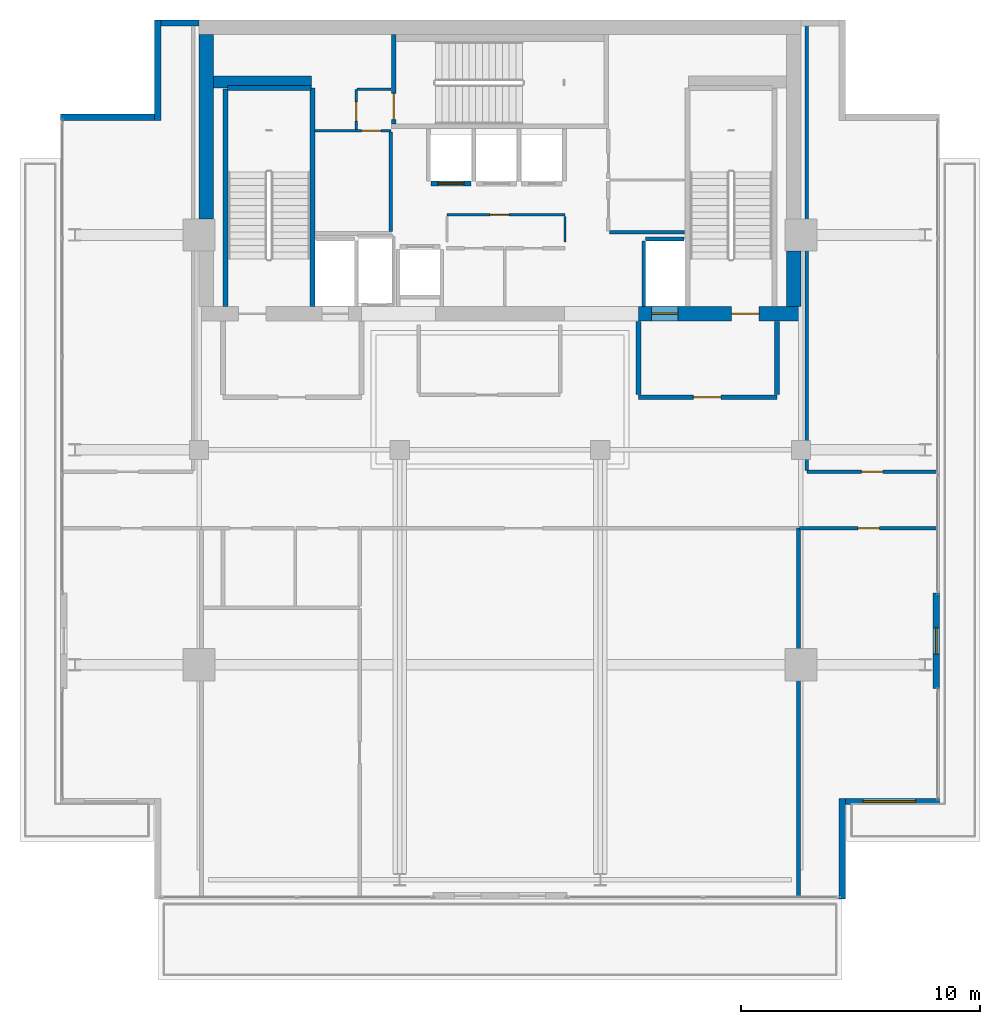
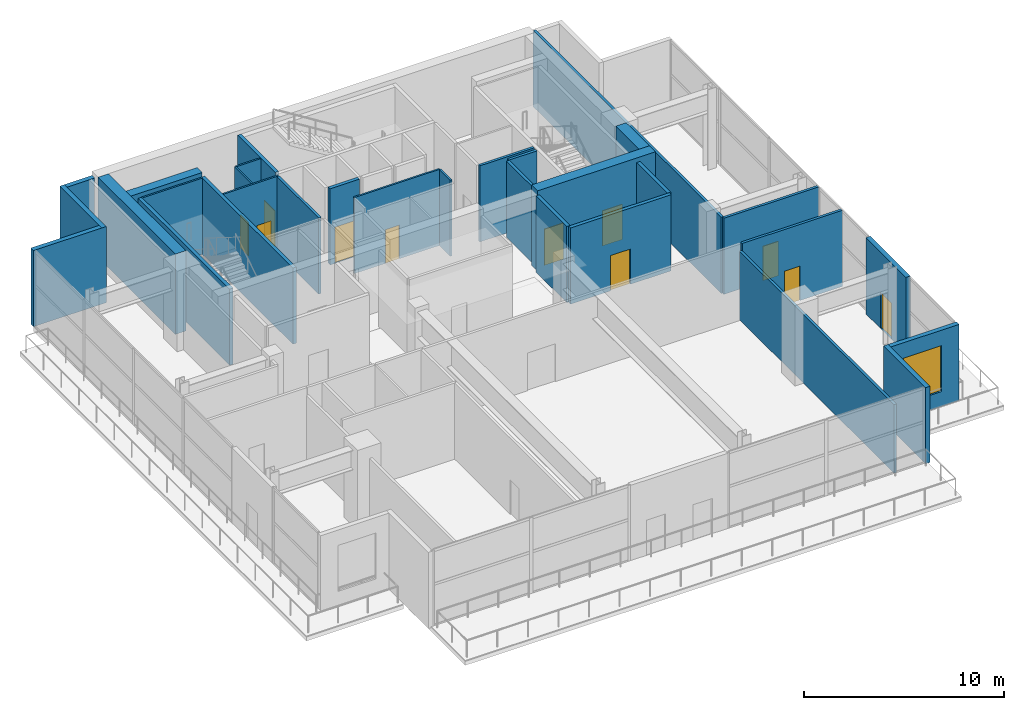
# One storey, part 17 of 22: 31 walls, 11 doors, 1 window, 12 openings.
"""IFC4 building model written with IfcOpenShell, lengths in metres."""

from ifc_helpers import new_model, si_unit, direction, frame, frame_2d, origin, place, context, subcontext, project, spatial, rectangle, extrude, material, layer, layer_set, type_object, element, fill, save


model = new_model("IFC4")

# Units and contexts
model_context = context("Model", 3, precision=1e-05, world=origin(), true_north=direction((0.0, 1.0)))
body_context = subcontext(model_context, "Body", "Model", "MODEL_VIEW")
ifc_project = project(units=[si_unit("LENGTHUNIT", "METRE"), si_unit("AREAUNIT", "SQUARE_METRE"), si_unit("VOLUMEUNIT", "CUBIC_METRE"), si_unit("PLANEANGLEUNIT", "RADIAN"), si_unit("MASSUNIT", "GRAM", prefix="KILO")], contexts=[model_context])

# Site, building, storey
site_placement = place(None, origin())
site = spatial("IfcSite", under=ifc_project, at=site_placement, CompositionType="ELEMENT")
building_placement = place(site_placement, origin())
building = spatial("IfcBuilding", under=site, at=building_placement, Name="Maruvema Waterfront Hotel and Observation Tower", CompositionType="ELEMENT")
storey_placement = place(building_placement, frame((0.0, 0.0, 354.199951171875)))
storey = spatial("IfcBuildingStorey", under=building, at=storey_placement, Name="L87", CompositionType="ELEMENT", Elevation=354.199951171875)

# Walls
ifc_material_1 = material(Name="Twin-stud acoustic gypsum drywall", Category="gypsum")
ifc_layer_1 = layer(ifc_material_1, 0.14990234375, Name="Acoustic Corridor and Suite Demising Wall 150 mm")
ifc_layer_set_1 = layer_set([ifc_layer_1], Name="Twin-stud acoustic gypsum drywall")
wall_type_1 = type_object("IfcWallType", Name="Acoustic Corridor and Suite Demising Wall 150 mm", PredefinedType="PARTITIONING", material=ifc_layer_set_1)
wall_1_placement = place(storey_placement, frame((33.219970703125, 45.139892578125, 0.0), z_axis=(0.0, 0.0, 1.0), x_axis=(0.0, 1.0, 0.0)))
element("IfcWall", 1, at=wall_1_placement, inside=storey, type_object=wall_type_1, Name="L87 Freed B1 East Wall 017", PredefinedType="PARTITIONING", context=body_context, shape_type="SweptSolid", body=[
    extrude(rectangle(XDim=4.16015625, YDim=0.14990234375, at=frame_2d((2.080078125, 0.0))), origin(), (0.0, 0.0, 1.0), 4.64013671875),
])
wall_2_placement = place(storey_placement, frame((42.3798828125, 45.1201171875, 0.0), z_axis=(0.0, 0.0, 1.0), x_axis=(1.0, 0.0, 0.0)))
element("IfcWall", 2, at=wall_2_placement, inside=storey, type_object=wall_type_1, Name="L87 Freed B2 South Wall 024", PredefinedType="PARTITIONING", context=body_context, shape_type="SweptSolid", body=[
    extrude(rectangle(XDim=3.14013671875, YDim=0.14990234375, at=frame_2d((1.570068359375, 0.0))), origin(), (0.0, 0.0, 1.0), 4.64013671875),
])
wall_3_placement = place(storey_placement, frame((50.300048828125, 17.280029296875, 0.0), z_axis=(0.0, 0.0, 1.0), x_axis=(0.0, 1.0, 0.0)))
element("IfcWall", 3, at=wall_3_placement, inside=storey, type_object=wall_type_1, Name="L87 L87 East Spine 037", PredefinedType="PARTITIONING", context=body_context, shape_type="SweptSolid", body=[
    extrude(rectangle(XDim=15.43994140625, YDim=0.14990234375, at=frame_2d((7.719970703125, 0.0))), origin(), (0.0, 0.0, 1.0), 4.177001953125),
])

# Wall, opening, door
wall_4_placement = place(storey_placement, frame((50.35009765625, 32.719970703125, 0.0), z_axis=(0.0, 0.0, 1.0), x_axis=(1.0, 0.0, 0.0)))
wall_4 = element("IfcWall", 4, at=wall_4_placement, inside=storey, type_object=wall_type_1, Name="L87 L87 Photo North 039", PredefinedType="PARTITIONING", context=body_context, shape_type="SweptSolid", body=[
    extrude(rectangle(XDim=5.77001953125, YDim=0.14990234375, at=frame_2d((2.885009765625, 0.0))), origin(), (0.0, 0.0, 1.0), 4.64013671875),
])
opening_1_placement = place(wall_4_placement, frame((2.43505859375, 0.0, 0.0)))
opening_1 = element("IfcOpeningElement", 5, at=opening_1_placement, cuts=wall_4, Name="Opening DR-090", PredefinedType="OPENING", context=body_context, shape_type="SweptSolid", body=[
    extrude(rectangle(XDim=0.89990234375, YDim=2.10009765625, at=frame_2d((0.449951171875, 1.050048828125))), frame((0.0, 0.0849609375, 0.0), z_axis=(0.0, -1.0, 0.0), x_axis=(1.0, 0.0, 0.0)), (0.0, 0.0, 1.0), 0.169921875),
])
ifc_material_2 = material(Name="Solid-core lacquered timber leaf", Category="wood")
door_type_1 = type_object("IfcDoorType", Name="Accessible Toilet and Room Door 900x2100 mm", OperationType="NOTDEFINED", PredefinedType="DOOR", material=ifc_material_2)
door_1_placement = place(opening_1_placement, origin())
door_1 = element("IfcDoor", 6, at=door_1_placement, inside=storey, type_object=door_type_1, Name="L87 Photography Salon Door", OperationType="SINGLE_SWING_LEFT", OverallHeight=2.10009765625, OverallWidth=0.89990234375, PredefinedType="DOOR", context=body_context, shape_type="SweptSolid", body=[
    extrude(rectangle(XDim=0.89990234375, YDim=2.10009765625, at=frame_2d((0.449951171875, 1.050048828125))), frame((0.0, 0.02490234375, 0.0), z_axis=(0.0, -1.0, 0.0), x_axis=(1.0, 0.0, 0.0)), (0.0, 0.0, 1.0), 0.050048828125),
])
fill(opening_1, door_1)

wall_5_placement = place(storey_placement, frame((50.64990234375, 35.080078125, 0.0), z_axis=(0.0, 0.0, 1.0), x_axis=(1.0, 0.0, 0.0)))
wall_5 = element("IfcWall", 7, at=wall_5_placement, inside=storey, type_object=wall_type_1, Name="L87 L87 Kitchen South 042", PredefinedType="PARTITIONING", context=body_context, shape_type="SweptSolid", body=[
    extrude(rectangle(XDim=5.47021484375, YDim=0.14990234375, at=frame_2d((2.735107421875, 0.0))), origin(), (0.0, 0.0, 1.0), 4.64013671875),
])
opening_2_placement = place(wall_5_placement, frame((2.284912109375, 0.0, 0.0)))
opening_2 = element("IfcOpeningElement", 8, at=opening_2_placement, cuts=wall_5, Name="Opening DR-090", PredefinedType="OPENING", context=body_context, shape_type="SweptSolid", body=[
    extrude(rectangle(XDim=0.89990234375, YDim=2.10009765625, at=frame_2d((0.449951171875, 1.050048828125))), frame((0.0, 0.0849609375, 0.0), z_axis=(0.0, -1.0, 0.0), x_axis=(1.0, 0.0, 0.0)), (0.0, 0.0, 1.0), 0.169921875),
])
door_2_placement = place(opening_2_placement, frame((0.89990234375, 0.0, 0.0), z_axis=(0.0, 0.0, 1.0), x_axis=(-1.0, 0.0, 0.0)))
door_2 = element("IfcDoor", 9, at=door_2_placement, inside=storey, type_object=door_type_1, Name="L87 Refreshment Kitchen Door", OperationType="SINGLE_SWING_LEFT", OverallHeight=2.10009765625, OverallWidth=0.89990234375, PredefinedType="DOOR", context=body_context, shape_type="SweptSolid", body=[
    extrude(rectangle(XDim=0.89990234375, YDim=2.10009765625, at=frame_2d((0.449951171875, 1.050048828125))), frame((0.0, 0.02490234375, 0.0), z_axis=(0.0, -1.0, 0.0), x_axis=(1.0, 0.0, 0.0)), (0.0, 0.0, 1.0), 0.050048828125),
])
fill(opening_2, door_2)

# Walls
wall_6_placement = place(storey_placement, frame((50.64990234375, 35.139892578125, 0.0), z_axis=(0.0, 0.0, 1.0), x_axis=(0.0, 1.0, 0.0)))
element("IfcWall", 10, at=wall_6_placement, inside=storey, type_object=wall_type_1, Name="L87 L87 Kitchen West 043", PredefinedType="PARTITIONING", context=body_context, shape_type="SweptSolid", body=[
    extrude(rectangle(XDim=18.780029296875, YDim=0.14990234375, at=frame_2d((9.39013671875, 0.0))), origin(), (0.0, 0.0, 1.0), 4.64013671875),
])
ifc_material_3 = material(Name="Precast concrete C45/55", Category="concrete")
ifc_layer_2 = layer(ifc_material_3, 0.199951171875, Name="Core Shaft and Stairwell Enclosure Wall 200 mm")
ifc_layer_set_2 = layer_set([ifc_layer_2], Name="Precast concrete C45/55")
wall_type_2 = type_object("IfcWallType", Name="Core Shaft and Stairwell Enclosure Wall 200 mm", PredefinedType="SOLIDWALL", material=ifc_layer_set_2)
wall_7_placement = place(storey_placement, frame((29.949951171875, 42.0, 0.0), z_axis=(0.0, 0.0, 1.0), x_axis=(0.0, 1.0, 0.0)))
element("IfcWall", 11, at=wall_7_placement, inside=storey, type_object=wall_type_2, Name="L87 Stairwell ST-01 East Shaft Wall", PredefinedType="SOLIDWALL", context=body_context, shape_type="SweptSolid", body=[
    extrude(rectangle(XDim=9.14990234375, YDim=0.199951171875, at=frame_2d((4.574951171875, 0.0))), origin(), (0.0, 0.0, 1.0), 4.64013671875),
])
wall_8_placement = place(storey_placement, frame((26.300048828125, 42.0, 0.0), z_axis=(0.0, 0.0, 1.0), x_axis=(0.0, 1.0, 0.0)))
element("IfcWall", 12, at=wall_8_placement, inside=storey, type_object=wall_type_2, Name="L87 Stairwell ST-01 Shaft Lining Wall", PredefinedType="SOLIDWALL", context=body_context, shape_type="SweptSolid", body=[
    extrude(rectangle(XDim=9.1201171875, YDim=0.199951171875, at=frame_2d((4.56005859375, 0.0))), origin(), (0.0, 0.0, 1.0), 4.64013671875),
])
wall_9_placement = place(storey_placement, frame((26.3798828125, 51.14990234375, 0.0), z_axis=(0.0, 0.0, 1.0), x_axis=(1.0, 0.0, 0.0)))
element("IfcWall", 13, at=wall_9_placement, inside=storey, type_object=wall_type_2, Name="L87 Stairwell ST-01 Shaft Lining Wall", PredefinedType="SOLIDWALL", context=body_context, shape_type="SweptSolid", body=[
    extrude(rectangle(XDim=3.5, YDim=0.199951171875, at=frame_2d((1.75, 0.0))), origin(), (0.0, 0.0, 1.0), 4.64013671875),
])

# Wall, opening, door
wall_10_placement = place(storey_placement, frame((33.35009765625, 49.64990234375, 0.0), z_axis=(0.0, 0.0, 1.0), x_axis=(0.0, 1.0, 0.0)))
wall_10 = element("IfcWall", 14, at=wall_10_placement, inside=storey, type_object=wall_type_2, Name="L87 Stairwell ST-02 Shaft Wall", PredefinedType="SOLIDWALL", context=body_context, shape_type="SweptSolid", body=[
    extrude(rectangle(XDim=3.75, YDim=0.199951171875, at=frame_2d((1.875, 0.0))), origin(), (0.0, 0.0, 1.0), 4.64013671875),
])
opening_3_placement = place(wall_10_placement, frame((0.179931640625, 0.0, 0.0)))
opening_3 = element("IfcOpeningElement", 15, at=opening_3_placement, cuts=wall_10, Name="Opening SD-02", PredefinedType="OPENING", context=body_context, shape_type="SweptSolid", body=[
    extrude(rectangle(XDim=1.10009765625, YDim=2.14990234375, at=frame_2d((0.550048828125, 1.074951171875))), frame((0.0, 0.10986328125, 0.0), z_axis=(0.0, -1.0, 0.0), x_axis=(1.0, 0.0, 0.0)), (0.0, 0.0, 1.0), 0.219970703125),
])
ifc_material_4 = material(Name="Fire-rated galvanised steel leaf", Category="steel")
door_type_2 = type_object("IfcDoorType", Name="Central Exit Stair Fire Door 1100x2150 mm", OperationType="NOTDEFINED", PredefinedType="DOOR", material=ifc_material_4)
door_3_placement = place(opening_3_placement, frame((1.10009765625, 0.0, 0.0), z_axis=(0.0, 0.0, 1.0), x_axis=(-1.0, 0.0, 0.0)))
door_3 = element("IfcDoor", 16, at=door_3_placement, inside=storey, type_object=door_type_2, Name="L87 Exit Stair ST-02 Fire Door", OperationType="SINGLE_SWING_LEFT", OverallHeight=2.14990234375, OverallWidth=1.10009765625, PredefinedType="DOOR", context=body_context, shape_type="SweptSolid", body=[
    extrude(rectangle(XDim=1.10009765625, YDim=2.14990234375, at=frame_2d((0.550048828125, 1.074951171875))), frame((0.0, 0.02490234375, 0.0), z_axis=(0.0, -1.0, 0.0), x_axis=(1.0, 0.0, 0.0)), (0.0, 0.0, 1.0), 0.050048828125),
])
fill(opening_3, door_3)

wall_11_placement = place(storey_placement, frame((34.909912109375, 47.14990234375, 0.0), z_axis=(0.0, 0.0, 1.0), x_axis=(1.0, 0.0, 0.0)))
wall_11 = element("IfcWall", 17, at=wall_11_placement, inside=storey, type_object=wall_type_2, Name="L87 Lift LF-12 Hoistway Front Wall", PredefinedType="SOLIDWALL", context=body_context, shape_type="SweptSolid", body=[
    extrude(rectangle(XDim=1.68017578125, YDim=0.199951171875, at=frame_2d((0.840087890625, 0.0))), origin(), (0.0, 0.0, 1.0), 4.64013671875),
])
opening_4_placement = place(wall_11_placement, frame((0.2900390625, 0.0, 0.0)))
opening_4 = element("IfcOpeningElement", 18, at=opening_4_placement, cuts=wall_11, Name="Opening LD-02", PredefinedType="OPENING", context=body_context, shape_type="SweptSolid", body=[
    extrude(rectangle(XDim=1.10009765625, YDim=2.199951171875, at=frame_2d((0.550048828125, 1.10009765625))), frame((0.0, 0.10986328125, 0.0), z_axis=(0.0, -1.0, 0.0), x_axis=(1.0, 0.0, 0.0)), (0.0, 0.0, 1.0), 0.219970703125),
])
ifc_material_5 = material(Name="Brushed stainless steel Grade 316", Category="steel")
door_type_3 = type_object("IfcDoorType", Name="Shuttle Lift Sliding Landing Door 1100x2200 mm", OperationType="SLIDING_TO_RIGHT", PredefinedType="DOOR", material=ifc_material_5)
door_4_placement = place(opening_4_placement, frame((1.10009765625, 0.0, 0.0), z_axis=(0.0, 0.0, 1.0), x_axis=(-1.0, 0.0, 0.0)))
door_4 = element("IfcDoor", 19, at=door_4_placement, inside=storey, type_object=door_type_3, Name="L87 Lift LF-12 Sliding Landing Door", OperationType="SLIDING_TO_RIGHT", OverallHeight=2.199951171875, OverallWidth=1.10009765625, PredefinedType="DOOR", context=body_context, shape_type="SweptSolid", body=[
    extrude(rectangle(XDim=1.10009765625, YDim=2.199951171875, at=frame_2d((0.550048828125, 1.10009765625))), frame((0.0, 0.02490234375, 0.0), z_axis=(0.0, -1.0, 0.0), x_axis=(1.0, 0.0, 0.0)), (0.0, 0.0, 1.0), 0.050048828125),
])
fill(opening_4, door_4)

# Wall
ifc_material_6 = material(Name="Concrete C70/85", Category="concrete")
ifc_layer_3 = layer(ifc_material_6, 0.5, Name="Core Shear Wall 500 mm")
ifc_layer_set_3 = layer_set([ifc_layer_3], Name="Concrete C70/85")
wall_type_3 = type_object("IfcWallType", Name="Core Shear Wall 500 mm", PredefinedType="SHEAR", material=ifc_layer_set_3)
wall_12_placement = place(storey_placement, frame((25.800048828125, 51.39990234375, 0.0), z_axis=(0.0, 0.0, 1.0), x_axis=(1.0, 0.0, 0.0)))
element("IfcWall", 20, at=wall_12_placement, inside=storey, type_object=wall_type_3, Name="L87 Internal Core Shear Wall NW 500 mm", PredefinedType="SHEAR", context=body_context, shape_type="SweptSolid", body=[
    extrude(rectangle(XDim=4.099853515625, YDim=0.5, at=frame_2d((2.0498046875, 0.0))), origin(), (0.0, 0.0, 1.0), 4.900146484375),
])

# Wall, openings, doors
ifc_material_7 = material(Name="Concrete C60/75", Category="concrete")
ifc_layer_4 = layer(ifc_material_7, 0.60009765625, Name="Core Shear Wall 600 mm")
ifc_layer_set_4 = layer_set([ifc_layer_4], Name="Concrete C60/75")
wall_type_4 = type_object("IfcWallType", Name="Core Shear Wall 600 mm", PredefinedType="SHEAR", material=ifc_layer_set_4)
wall_13_placement = place(storey_placement, frame((43.60009765625, 41.699951171875, 0.0), z_axis=(0.0, 0.0, 1.0), x_axis=(1.0, 0.0, 0.0)))
wall_13 = element("IfcWall", 21, at=wall_13_placement, inside=storey, type_object=wall_type_4, Name="L87 South-East Core Shear Wall", PredefinedType="SHEAR", context=body_context, shape_type="SweptSolid", body=[
    extrude(rectangle(XDim=6.7998046875, YDim=0.60009765625, at=frame_2d((3.39990234375, 0.0))), origin(), (0.0, 0.0, 1.0), 4.900146484375),
])
opening_5_placement = place(wall_13_placement, frame((3.89990234375, 0.0, 0.0)))
opening_5 = element("IfcOpeningElement", 22, at=opening_5_placement, cuts=wall_13, Name="Opening SD-01", PredefinedType="OPENING", context=body_context, shape_type="SweptSolid", body=[
    extrude(rectangle(XDim=1.14990234375, YDim=2.14990234375, at=frame_2d((0.574951171875, 1.074951171875))), frame((0.0, 0.31005859375, 0.0), z_axis=(0.0, -1.0, 0.0), x_axis=(1.0, 0.0, 0.0)), (0.0, 0.0, 1.0), 0.6201171875),
])
opening_6_placement = place(wall_13_placement, frame((0.550048828125, 0.0, 0.0)))
opening_6 = element("IfcOpeningElement", 23, at=opening_6_placement, cuts=wall_13, Name="Opening LD-03", PredefinedType="OPENING", context=body_context, shape_type="SweptSolid", body=[
    extrude(rectangle(XDim=1.10009765625, YDim=2.199951171875, at=frame_2d((0.550048828125, 1.10009765625))), frame((0.0, 0.31005859375, 0.0), z_axis=(0.0, -1.0, 0.0), x_axis=(1.0, 0.0, 0.0)), (0.0, 0.0, 1.0), 0.6201171875),
])
ifc_material_8 = material(Name="Fire-rated galvanised steel leaf", Category="steel")
door_type_4 = type_object("IfcDoorType", Name="Exit Stair Fire Door 1150x2150 mm", OperationType="NOTDEFINED", PredefinedType="DOOR", material=ifc_material_8)
door_5_placement = place(opening_5_placement, origin())
door_5 = element("IfcDoor", 24, at=door_5_placement, inside=storey, type_object=door_type_4, Name="L87 Exit Stair ST-03 Fire Door", OperationType="SINGLE_SWING_RIGHT", OverallHeight=2.14990234375, OverallWidth=1.14990234375, PredefinedType="DOOR", context=body_context, shape_type="SweptSolid", body=[
    extrude(rectangle(XDim=1.14990234375, YDim=2.14990234375, at=frame_2d((0.574951171875, 1.074951171875))), frame((0.0, 0.02490234375, 0.0), z_axis=(0.0, -1.0, 0.0), x_axis=(1.0, 0.0, 0.0)), (0.0, 0.0, 1.0), 0.050048828125),
])
fill(opening_5, door_5)
ifc_material_9 = material(Name="Brushed stainless steel Grade 316", Category="steel")
door_type_5 = type_object("IfcDoorType", Name="Firefighting Lift Sliding Landing Door 1100x2200 mm", OperationType="SLIDING_TO_LEFT", PredefinedType="DOOR", material=ifc_material_9)
door_6_placement = place(opening_6_placement, frame((1.10009765625, 0.0, 0.0), z_axis=(0.0, 0.0, 1.0), x_axis=(-1.0, 0.0, 0.0)))
door_6 = element("IfcDoor", 25, at=door_6_placement, inside=storey, type_object=door_type_5, Name="L87 Firefighting Lift FL-02 Landing Door", OperationType="SLIDING_TO_LEFT", OverallHeight=2.199951171875, OverallWidth=1.10009765625, PredefinedType="DOOR", context=body_context, shape_type="SweptSolid", body=[
    extrude(rectangle(XDim=1.10009765625, YDim=2.199951171875, at=frame_2d((0.550048828125, 1.10009765625))), frame((0.0, 0.02490234375, 0.0), z_axis=(0.0, -1.0, 0.0), x_axis=(1.0, 0.0, 0.0)), (0.0, 0.0, 1.0), 0.050048828125),
])
fill(opening_6, door_6)

# Walls
wall_14_placement = place(storey_placement, frame((25.5, 45.675048828125, 0.0), z_axis=(0.0, 0.0, 1.0), x_axis=(0.0, 1.0, 0.0)))
element("IfcWall", 26, at=wall_14_placement, inside=storey, type_object=wall_type_4, Name="L87 West-North Core Shear Wall", PredefinedType="SHEAR", context=body_context, shape_type="SweptSolid", body=[
    extrude(rectangle(XDim=7.724853515625, YDim=0.60009765625, at=frame_2d((3.8623046875, 0.0))), origin(), (0.0, 0.0, 1.0), 4.900146484375),
])
wall_15_placement = place(storey_placement, frame((50.10009765625, 42.0, 0.0), z_axis=(0.0, 0.0, 1.0), x_axis=(0.0, 1.0, 0.0)))
element("IfcWall", 27, at=wall_15_placement, inside=storey, type_object=wall_type_4, Name="L87 East-South Core Shear Wall", PredefinedType="SHEAR", context=body_context, shape_type="SweptSolid", body=[
    extrude(rectangle(XDim=2.324951171875, YDim=0.60009765625, at=frame_2d((1.16259765625, 0.0))), origin(), (0.0, 0.0, 1.0), 4.900146484375),
])

# Wall, opening, door
ifc_material_10 = material(Name="Moisture-resistant cement-board drywall", Category="gypsum")
ifc_layer_5 = layer(ifc_material_10, 0.10009765625, Name="En-Suite Moisture-Resistant Partition 100 mm")
ifc_layer_set_5 = layer_set([ifc_layer_5], Name="Moisture-resistant cement-board drywall")
wall_type_5 = type_object("IfcWallType", Name="En-Suite Moisture-Resistant Partition 100 mm", PredefinedType="PARTITIONING", material=ifc_layer_set_5)
wall_16_placement = place(storey_placement, frame((35.580078125, 45.840087890625, 0.0), z_axis=(0.0, 0.0, 1.0), x_axis=(1.0, 0.0, 0.0)))
wall_16 = element("IfcWall", 28, at=wall_16_placement, inside=storey, type_object=wall_type_5, Name="L87 Core Closet K0 North 010", PredefinedType="PARTITIONING", context=body_context, shape_type="SweptSolid", body=[
    extrude(rectangle(XDim=4.93994140625, YDim=0.10009765625, at=frame_2d((2.469970703125, 0.0))), origin(), (0.0, 0.0, 1.0), 4.64013671875),
])
opening_7_placement = place(wall_16_placement, frame((1.800048828125, 0.0, 0.0)))
opening_7 = element("IfcOpeningElement", 29, at=opening_7_placement, cuts=wall_16, Name="Opening DR-080", PredefinedType="OPENING", context=body_context, shape_type="SweptSolid", body=[
    extrude(rectangle(XDim=0.800048828125, YDim=2.050048828125, at=frame_2d((0.39990234375, 1.02490234375))), frame((0.0, 0.06005859375, 0.0), z_axis=(0.0, -1.0, 0.0), x_axis=(1.0, 0.0, 0.0)), (0.0, 0.0, 1.0), 0.1201171875),
])
ifc_material_11 = material(Name="Powder-coated steel access leaf", Category="steel")
door_type_6 = type_object("IfcDoorType", Name="Riser and Service Cupboard Door 800x2050 mm", OperationType="NOTDEFINED", PredefinedType="DOOR", material=ifc_material_11)
door_7_placement = place(opening_7_placement, origin())
door_7 = element("IfcDoor", 30, at=door_7_placement, inside=storey, type_object=door_type_6, Name="L87 Core Electrical Closet Door", OperationType="SINGLE_SWING_LEFT", OverallHeight=2.050048828125, OverallWidth=0.800048828125, PredefinedType="DOOR", context=body_context, shape_type="SweptSolid", body=[
    extrude(rectangle(XDim=0.800048828125, YDim=2.050048828125, at=frame_2d((0.39990234375, 1.02490234375))), frame((0.0, 0.02490234375, 0.0), z_axis=(0.0, -1.0, 0.0), x_axis=(1.0, 0.0, 0.0)), (0.0, 0.0, 1.0), 0.050048828125),
])
fill(opening_7, door_7)

# Wall
wall_17_placement = place(storey_placement, frame((40.52001953125, 44.699951171875, 0.0), z_axis=(0.0, 0.0, 1.0), x_axis=(0.0, 1.0, 0.0)))
element("IfcWall", 31, at=wall_17_placement, inside=storey, type_object=wall_type_5, Name="L87 Core Closet K0 East 012", PredefinedType="PARTITIONING", context=body_context, shape_type="SweptSolid", body=[
    extrude(rectangle(XDim=1.080078125, YDim=0.10009765625, at=frame_2d((0.5400390625, 0.0))), origin(), (0.0, 0.0, 1.0), 4.64013671875),
])

# Wall, opening, door
wall_18_placement = place(storey_placement, frame((30.06005859375, 49.360107421875, 0.0), z_axis=(0.0, 0.0, 1.0), x_axis=(1.0, 0.0, 0.0)))
wall_18 = element("IfcWall", 32, at=wall_18_placement, inside=storey, type_object=wall_type_5, Name="L87 Freed B1 Mid Wall 018", PredefinedType="PARTITIONING", context=body_context, shape_type="SweptSolid", body=[
    extrude(rectangle(XDim=3.179931640625, YDim=0.10009765625, at=frame_2d((1.58984375, 0.0))), origin(), (0.0, 0.0, 1.0), 4.64013671875),
])
opening_8_placement = place(wall_18_placement, frame((1.949951171875, 0.0, 0.0)))
opening_8 = element("IfcOpeningElement", 33, at=opening_8_placement, cuts=wall_18, Name="Opening DR-080", PredefinedType="OPENING", context=body_context, shape_type="SweptSolid", body=[
    extrude(rectangle(XDim=0.800048828125, YDim=2.050048828125, at=frame_2d((0.39990234375, 1.02490234375))), frame((0.0, 0.06005859375, 0.0), z_axis=(0.0, -1.0, 0.0), x_axis=(1.0, 0.0, 0.0)), (0.0, 0.0, 1.0), 0.1201171875),
])
door_8_placement = place(opening_8_placement, origin())
door_8 = element("IfcDoor", 34, at=door_8_placement, inside=storey, type_object=door_type_6, Name="L87 Housekeeping and Linen Room Door", OperationType="SINGLE_SWING_RIGHT", OverallHeight=2.050048828125, OverallWidth=0.800048828125, PredefinedType="DOOR", context=body_context, shape_type="SweptSolid", body=[
    extrude(rectangle(XDim=0.800048828125, YDim=2.050048828125, at=frame_2d((0.39990234375, 1.02490234375))), frame((0.0, 0.02490234375, 0.0), z_axis=(0.0, -1.0, 0.0), x_axis=(1.0, 0.0, 0.0)), (0.0, 0.0, 1.0), 0.050048828125),
])
fill(opening_8, door_8)

wall_19_placement = place(storey_placement, frame((31.780029296875, 49.419921875, 0.0), z_axis=(0.0, 0.0, 1.0), x_axis=(0.0, 1.0, 0.0)))
wall_19 = element("IfcWall", 35, at=wall_19_placement, inside=storey, type_object=wall_type_5, Name="L87 Freed B1 NW East Wall 019", PredefinedType="PARTITIONING", context=body_context, shape_type="SweptSolid", body=[
    extrude(rectangle(XDim=1.68017578125, YDim=0.10009765625, at=frame_2d((0.840087890625, 0.0))), origin(), (0.0, 0.0, 1.0), 4.64013671875),
])
opening_9_placement = place(wall_19_placement, frame((0.35009765625, 0.0, 0.0)))
opening_9 = element("IfcOpeningElement", 36, at=opening_9_placement, cuts=wall_19, Name="Opening DR-080", PredefinedType="OPENING", context=body_context, shape_type="SweptSolid", body=[
    extrude(rectangle(XDim=0.800048828125, YDim=2.050048828125, at=frame_2d((0.39990234375, 1.02490234375))), frame((0.0, 0.06005859375, 0.0), z_axis=(0.0, -1.0, 0.0), x_axis=(1.0, 0.0, 0.0)), (0.0, 0.0, 1.0), 0.1201171875),
])
door_9_placement = place(opening_9_placement, origin())
door_9 = element("IfcDoor", 37, at=door_9_placement, inside=storey, type_object=door_type_6, Name="L87 Guest Floor Pantry Door", OperationType="SINGLE_SWING_LEFT", OverallHeight=2.050048828125, OverallWidth=0.800048828125, PredefinedType="DOOR", context=body_context, shape_type="SweptSolid", body=[
    extrude(rectangle(XDim=0.800048828125, YDim=2.050048828125, at=frame_2d((0.39990234375, 1.02490234375))), frame((0.0, 0.02490234375, 0.0), z_axis=(0.0, -1.0, 0.0), x_axis=(1.0, 0.0, 0.0)), (0.0, 0.0, 1.0), 0.050048828125),
])
fill(opening_9, door_9)

# Walls
wall_20_placement = place(storey_placement, frame((31.820068359375, 51.10009765625, 0.0), z_axis=(0.0, 0.0, 1.0), x_axis=(1.0, 0.0, 0.0)))
element("IfcWall", 38, at=wall_20_placement, inside=storey, type_object=wall_type_5, Name="L87 Freed B1 Vestibule North Wall 020", PredefinedType="PARTITIONING", context=body_context, shape_type="SweptSolid", body=[
    extrude(rectangle(XDim=1.419921875, YDim=0.10009765625, at=frame_2d((0.7099609375, 0.0))), origin(), (0.0, 0.0, 1.0), 4.64013671875),
])
ifc_material_12 = material(Name="Precast concrete C45/55 with honed Pernambuco granite facing", Category="masonry")
ifc_layer_6 = layer(ifc_material_12, 0.260009765625, Name="Exterior Granite Clad Spandrel and Pier Wall 260 mm")
ifc_layer_set_6 = layer_set([ifc_layer_6], Name="Precast concrete C45/55 with honed Pernambuco granite facing")
wall_type_6 = type_object("IfcWallType", Name="Exterior Granite Clad Spandrel and Pier Wall 260 mm", PredefinedType="SOLIDWALL", material=ifc_layer_set_6)
wall_21_placement = place(storey_placement, frame((52.1298828125, 21.39990234375, 0.0), z_axis=(0.0, 0.0, 1.0), x_axis=(0.0, -1.0, 0.0)))
element("IfcWall", 39, at=wall_21_placement, inside=storey, type_object=wall_type_6, Name="L87 Corner Notch Granite Pier Wall SE1", PredefinedType="SOLIDWALL", context=body_context, shape_type="SweptSolid", body=[
    extrude(rectangle(XDim=4.199951171875, YDim=0.260009765625, at=frame_2d((2.10009765625, 0.0))), origin(), (0.0, 0.0, 1.0), 4.64013671875),
])

# Wall, opening, window
wall_22_placement = place(storey_placement, frame((56.199951171875, 21.27001953125, 0.0), z_axis=(0.0, 0.0, 1.0), x_axis=(-1.0, 0.0, 0.0)))
wall_22 = element("IfcWall", 40, at=wall_22_placement, inside=storey, type_object=wall_type_6, Name="L87 Corner Notch Granite Pier Wall SE2", PredefinedType="SOLIDWALL", context=body_context, shape_type="SweptSolid", body=[
    extrude(rectangle(XDim=4.199951171875, YDim=0.260009765625, at=frame_2d((2.10009765625, 0.0))), origin(), (0.0, 0.0, 1.0), 4.64013671875),
])
opening_10_placement = place(wall_22_placement, frame((1.0, 0.0, 0.89990234375)))
opening_10 = element("IfcOpeningElement", 41, at=opening_10_placement, cuts=wall_22, Name="Opening WN-05", PredefinedType="OPENING", context=body_context, shape_type="SweptSolid", body=[
    extrude(rectangle(XDim=2.199951171875, YDim=2.800048828125, at=frame_2d((1.10009765625, 1.39990234375))), frame((0.0, 0.14013671875, 0.0), z_axis=(0.0, -1.0, 0.0), x_axis=(1.0, 0.0, 0.0)), (0.0, 0.0, 1.0), 0.280029296875),
])
ifc_material_13 = material(Name="Anodised bronze aluminium frame with laminated low-E glass", Category="aluminium")
window_type = type_object("IfcWindowType", Name="Crown Gallery Observation Window 2200x2800 mm", PartitioningType="SINGLE_PANEL", PredefinedType="WINDOW", material=ifc_material_13)
window_placement = place(opening_10_placement, origin())
window = element("IfcWindow", 42, at=window_placement, inside=storey, type_object=window_type, Name="L87 Corner Notch Punched Window SE2", OverallHeight=2.800048828125, OverallWidth=2.199951171875, PartitioningType="SINGLE_PANEL", PredefinedType="WINDOW", context=body_context, shape_type="SweptSolid", body=[
    extrude(rectangle(XDim=2.199951171875, YDim=2.800048828125, at=frame_2d((1.10009765625, 1.39990234375))), frame((0.0, 0.030029296875, 0.0), z_axis=(0.0, -1.0, 0.0), x_axis=(1.0, 0.0, 0.0)), (0.0, 0.0, 1.0), 0.06005859375),
])
fill(opening_10, window)

# Walls
wall_23_placement = place(storey_placement, frame((23.469970703125, 49.800048828125, 0.0), z_axis=(0.0, 0.0, 1.0), x_axis=(0.0, 1.0, 0.0)))
element("IfcWall", 43, at=wall_23_placement, inside=storey, type_object=wall_type_6, Name="L87 Corner Notch Granite Pier Wall NW1", PredefinedType="SOLIDWALL", context=body_context, shape_type="SweptSolid", body=[
    extrude(rectangle(XDim=4.199951171875, YDim=0.260009765625, at=frame_2d((2.10009765625, 0.0))), origin(), (0.0, 0.0, 1.0), 4.64013671875),
])
wall_24_placement = place(storey_placement, frame((19.39990234375, 49.929931640625, 0.0), z_axis=(0.0, 0.0, 1.0), x_axis=(1.0, 0.0, 0.0)))
element("IfcWall", 44, at=wall_24_placement, inside=storey, type_object=wall_type_6, Name="L87 Corner Notch Granite Pier Wall NW2", PredefinedType="SOLIDWALL", context=body_context, shape_type="SweptSolid", body=[
    extrude(rectangle(XDim=4.2001953125, YDim=0.260009765625, at=frame_2d((2.10009765625, 0.0))), origin(), (0.0, 0.0, 1.0), 4.64013671875),
])

# Wall, opening, door
wall_25_placement = place(storey_placement, frame((56.070068359375, 26.0, 0.0), z_axis=(0.0, 0.0, 1.0), x_axis=(0.0, 1.0, 0.0)))
wall_25 = element("IfcWall", 45, at=wall_25_placement, inside=storey, type_object=wall_type_6, Name="L87 E Terrace Access Wall", PredefinedType="SOLIDWALL", context=body_context, shape_type="SweptSolid", body=[
    extrude(rectangle(XDim=4.0, YDim=0.260009765625, at=frame_2d((2.0, 0.0))), origin(), (0.0, 0.0, 1.0), 4.64013671875),
])
opening_11_placement = place(wall_25_placement, frame((1.449951171875, 0.0, 0.0)))
opening_11 = element("IfcOpeningElement", 46, at=opening_11_placement, cuts=wall_25, Name="Opening TD-01", PredefinedType="OPENING", context=body_context, shape_type="SweptSolid", body=[
    extrude(rectangle(XDim=1.10009765625, YDim=2.199951171875, at=frame_2d((0.550048828125, 1.10009765625))), frame((0.0, 0.14013671875, 0.0), z_axis=(0.0, -1.0, 0.0), x_axis=(1.0, 0.0, 0.0)), (0.0, 0.0, 1.0), 0.280029296875),
])
ifc_material_14 = material(Name="Anodised bronze aluminium and laminated safety glass", Category="aluminium")
door_type_7 = type_object("IfcDoorType", Name="Setback Terrace Weatherproof Glazed Door 1100x2200 mm", OperationType="NOTDEFINED", PredefinedType="DOOR", material=ifc_material_14)
door_10_placement = place(opening_11_placement, frame((1.10009765625, 0.0, 0.0), z_axis=(0.0, 0.0, 1.0), x_axis=(-1.0, 0.0, 0.0)))
door_10 = element("IfcDoor", 47, at=door_10_placement, inside=storey, type_object=door_type_7, Name="L87 E Terrace Access Door", OperationType="SINGLE_SWING_RIGHT", OverallHeight=2.199951171875, OverallWidth=1.10009765625, PredefinedType="DOOR", context=body_context, shape_type="SweptSolid", body=[
    extrude(rectangle(XDim=1.10009765625, YDim=2.199951171875, at=frame_2d((0.550048828125, 1.10009765625))), frame((0.0, 0.02490234375, 0.0), z_axis=(0.0, -1.0, 0.0), x_axis=(1.0, 0.0, 0.0)), (0.0, 0.0, 1.0), 0.050048828125),
])
fill(opening_11, door_10)

# Wall
wall_26_placement = place(storey_placement, frame((25.199951171875, 53.8701171875, 0.0), z_axis=(0.0, 0.0, 1.0), x_axis=(-1.0, 0.0, 0.0)))
element("IfcWall", 48, at=wall_26_placement, inside=storey, type_object=wall_type_6, Name="L87 North-West Core Flanking Pier Wall", PredefinedType="SOLIDWALL", context=body_context, shape_type="SweptSolid", body=[
    extrude(rectangle(XDim=1.599853515625, YDim=0.260009765625, at=frame_2d((0.7998046875, 0.0))), origin(), (0.0, 0.0, 1.0), 4.64013671875),
])

# Wall, opening, door
ifc_material_15 = material(Name="Autoclaved cellular concrete blockwork", Category="masonry")
ifc_layer_7 = layer(ifc_material_15, 0.199951171875, Name="Fire Compartment Masonry Wall 200 mm")
ifc_layer_set_7 = layer_set([ifc_layer_7], Name="Autoclaved cellular concrete blockwork")
wall_type_7 = type_object("IfcWallType", Name="Fire Compartment Masonry Wall 200 mm", PredefinedType="PARTITIONING", material=ifc_layer_set_7)
wall_27_placement = place(storey_placement, frame((43.60009765625, 38.199951171875, 0.0), z_axis=(0.0, 0.0, 1.0), x_axis=(1.0, 0.0, 0.0)))
wall_27 = element("IfcWall", 49, at=wall_27_placement, inside=storey, type_object=wall_type_7, Name="L87 FFL East South Wall 004", PredefinedType="PARTITIONING", context=body_context, shape_type="SweptSolid", body=[
    extrude(rectangle(XDim=5.7998046875, YDim=0.199951171875, at=frame_2d((2.89990234375, 0.0))), origin(), (0.0, 0.0, 1.0), 4.64013671875),
])
opening_12_placement = place(wall_27_placement, frame((2.300048828125, 0.0, 0.0)))
opening_12 = element("IfcOpeningElement", 50, at=opening_12_placement, cuts=wall_27, Name="Opening FD-115", PredefinedType="OPENING", context=body_context, shape_type="SweptSolid", body=[
    extrude(rectangle(XDim=1.14990234375, YDim=2.14990234375, at=frame_2d((0.574951171875, 1.074951171875))), frame((0.0, 0.10986328125, 0.0), z_axis=(0.0, -1.0, 0.0), x_axis=(1.0, 0.0, 0.0)), (0.0, 0.0, 1.0), 0.219970703125),
])
ifc_material_16 = material(Name="Fire-rated galvanised steel and vision glass", Category="steel")
door_type_8 = type_object("IfcDoorType", Name="Firefighting Lobby Fire Door 1150x2150 mm", OperationType="NOTDEFINED", PredefinedType="DOOR", material=ifc_material_16)
door_11_placement = place(opening_12_placement, frame((1.14990234375, 0.0, 0.0), z_axis=(0.0, 0.0, 1.0), x_axis=(-1.0, 0.0, 0.0)))
door_11 = element("IfcDoor", 51, at=door_11_placement, inside=storey, type_object=door_type_8, Name="L87 Firefighting Lobby East Door", OperationType="SINGLE_SWING_LEFT", OverallHeight=2.14990234375, OverallWidth=1.14990234375, PredefinedType="DOOR", context=body_context, shape_type="SweptSolid", body=[
    extrude(rectangle(XDim=1.14990234375, YDim=2.14990234375, at=frame_2d((0.574951171875, 1.074951171875))), frame((0.0, 0.02490234375, 0.0), z_axis=(0.0, -1.0, 0.0), x_axis=(1.0, 0.0, 0.0)), (0.0, 0.0, 1.0), 0.050048828125),
])
fill(opening_12, door_11)

# Walls
for number, where, z_axis, x_axis, name in (
    (52, (43.60009765625, 38.31005859375, 0.0), (0.0, 0.0, 1.0), (0.0, 1.0, 0.0), "L87 FFL East West Wall 005"),
    (53, (49.39990234375, 38.31005859375, 0.0), (0.0, 0.0, 1.0), (0.0, 1.0, 0.0), "L87 FFL East East Wall 006"),
):
    element("IfcWall", number, at=place(storey_placement, frame(where, z_axis=z_axis, x_axis=x_axis)), inside=storey, type_object=wall_type_7, Name=name, PredefinedType="PARTITIONING", context=body_context, shape_type="SweptSolid", body=[
        extrude(rectangle(XDim=3.06982421875, YDim=0.199951171875, at=frame_2d((1.534912109375, 0.0))), origin(), (0.0, 0.0, 1.0), 4.64013671875),
    ])
ifc_material_17 = material(Name="Precast concrete C45/55", Category="concrete")
ifc_layer_8 = layer(ifc_material_17, 0.159912109375, Name="Lift Hoistway Divider Wall 160 mm")
ifc_layer_set_8 = layer_set([ifc_layer_8], Name="Precast concrete C45/55")
wall_type_8 = type_object("IfcWallType", Name="Lift Hoistway Divider Wall 160 mm", PredefinedType="SOLIDWALL", material=ifc_layer_set_8)
wall_28_placement = place(storey_placement, frame((43.89990234375, 44.830078125, 0.0), z_axis=(0.0, 0.0, 1.0), x_axis=(1.0, 0.0, 0.0)))
element("IfcWall", 54, at=wall_28_placement, inside=storey, type_object=wall_type_8, Name="L87 Lift FL-02 Rear Hoistway Wall", PredefinedType="SOLIDWALL", context=body_context, shape_type="SweptSolid", body=[
    extrude(rectangle(XDim=1.60009765625, YDim=0.159912109375, at=frame_2d((0.800048828125, 0.0))), origin(), (0.0, 0.0, 1.0), 4.64013671875),
])
wall_29_placement = place(storey_placement, frame((43.820068359375, 42.0, 0.0), z_axis=(0.0, 0.0, 1.0), x_axis=(0.0, 1.0, 0.0)))
element("IfcWall", 55, at=wall_29_placement, inside=storey, type_object=wall_type_8, Name="L87 Lift FL-02 Inner Hoistway Wall", PredefinedType="SOLIDWALL", context=body_context, shape_type="SweptSolid", body=[
    extrude(rectangle(XDim=2.739990234375, YDim=0.159912109375, at=frame_2d((1.3701171875, 0.0))), origin(), (0.0, 0.0, 1.0), 4.64013671875),
])

save(model, "model.ifc")
